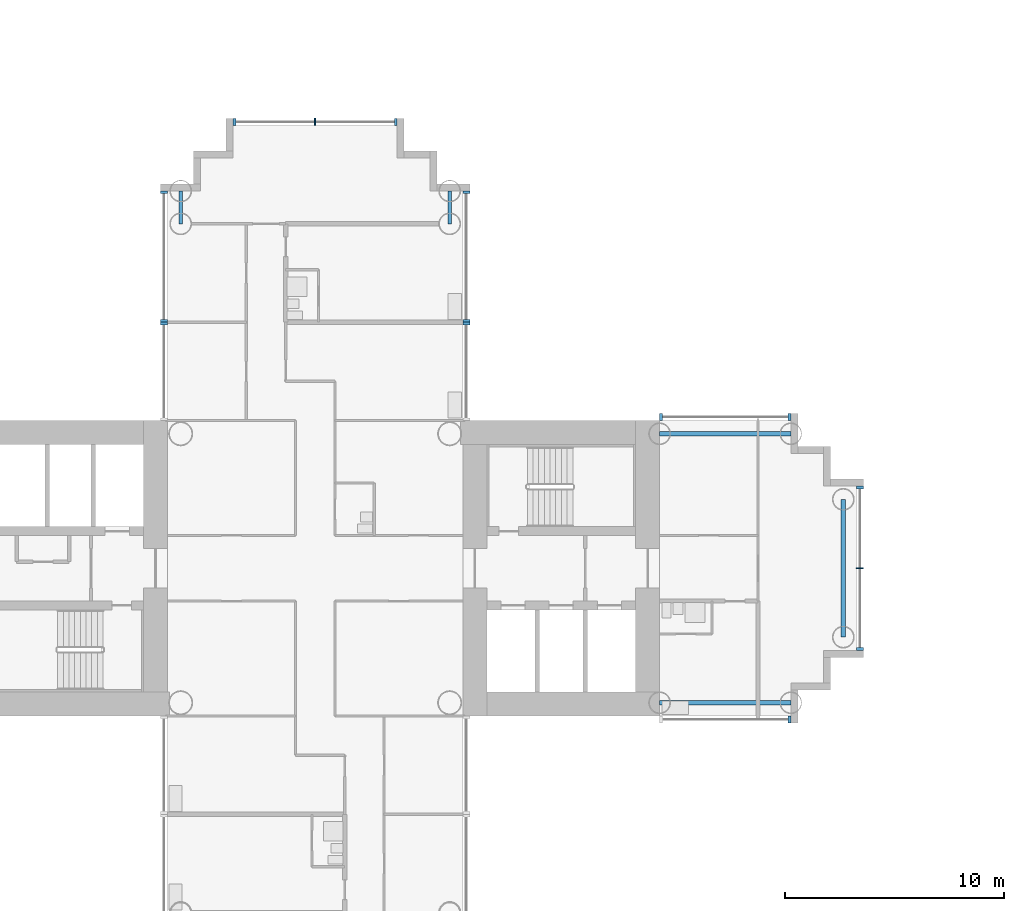
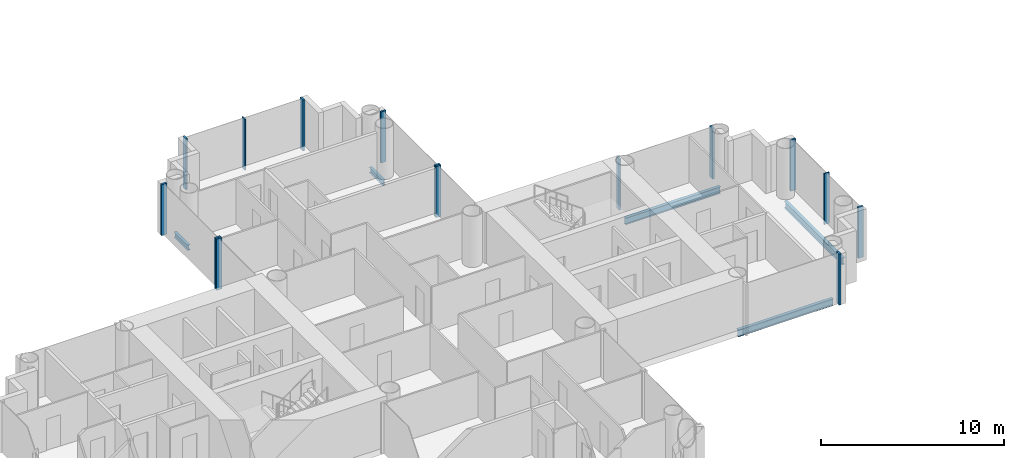
# One storey, part 4 of 21: 15 members, 5 beams, 8 elements without a shape of their own.
"""IFC4 building model written with IfcOpenShell, lengths in metres."""

import ifcopenshell
import ifcopenshell.guid

model = None  # the IFC model being written
_history = None  # IfcOwnerHistory: only IFC2X3 demands one
_inside = {}  # id of a spatial element -> (the spatial element, [elements in it])
_under = {}  # id of a project, library or spatial element -> (it, [spatial elements below it])
_declared = {}  # id of a project -> (the project, [libraries it declares])
_typed = {}  # id of a type object -> (the type object, [elements of that type])
_made_of = {}  # id of a material, layer set ... -> (it, [elements and type objects made of it])


def new_model(schema):
    """Start an empty IFC model of exactly this schema.

    Asked for "IFC4X3", IfcOpenShell would pick the latest addendum, in which some entities
    have other attributes; the version numbers below select the first issue.
    IFC2X3 requires an IfcOwnerHistory on every rooted entity: one is made here for all.
    """
    global model, _history
    if schema == "IFC4X3":
        model = ifcopenshell.file(schema_version=(4, 3, 0, 0))
    else:
        model = ifcopenshell.file(schema=schema)
    _inside.clear()
    _under.clear()
    _declared.clear()
    _typed.clear()
    _made_of.clear()
    _history = None
    if model.schema == "IFC2X3":
        org = make("IfcOrganization", Name="unknown")
        user = make(
            "IfcPersonAndOrganization",
            ThePerson=make("IfcPerson", FamilyName="unknown"),
            TheOrganization=org,
        )
        app = make(
            "IfcApplication",
            ApplicationDeveloper=org,
            Version="unknown",
            ApplicationFullName="unknown",
            ApplicationIdentifier="unknown",
        )
        _history = make(
            "IfcOwnerHistory",
            OwningUser=user,
            OwningApplication=app,
            ChangeAction="ADDED",
            CreationDate=0,
        )
    return model


def make(cls, **values):
    """One entity of the class cls with the attributes given. An attribute that is None is left unset."""
    return model.create_entity(
        cls, **{name: value for name, value in values.items() if value is not None}
    )


def rooted(cls, **values):
    """An entity with a GlobalId (a new one), such as an element, a storey or a relation."""
    return make(cls, GlobalId=ifcopenshell.guid.new(), OwnerHistory=_history, **values)


def si_unit(unit_type, name, prefix=None):
    """IfcSIUnit, for example si_unit("LENGTHUNIT", "METRE", prefix="MILLI")."""
    return make("IfcSIUnit", UnitType=unit_type, Prefix=prefix, Name=name)


def assignment(units):
    """IfcUnitAssignment: the units of a project."""
    return None if units is None else make("IfcUnitAssignment", Units=units)


def point(xyz):
    """IfcCartesianPoint."""
    return None if xyz is None else make("IfcCartesianPoint", Coordinates=xyz)


def direction(xyz):
    """IfcDirection."""
    return None if xyz is None else make("IfcDirection", DirectionRatios=xyz)


def frame(location, z_axis=None, x_axis=None):
    """IfcAxis2Placement3D, a coordinate frame: its origin and axes. An axis left out is left unset."""
    return make(
        "IfcAxis2Placement3D",
        Location=point(location),
        Axis=direction(z_axis),
        RefDirection=direction(x_axis),
    )


def frame_2d(location, x_axis=None):
    """IfcAxis2Placement2D, a coordinate frame in the plane: its origin and x axis."""
    return make(
        "IfcAxis2Placement2D", Location=point(location), RefDirection=direction(x_axis)
    )


def origin():
    """The frame at (0, 0, 0) with its axes left unset."""
    return frame((0.0, 0.0, 0.0))


def origin_2d():
    """The frame at (0, 0) in the plane with its x axis left unset."""
    return frame_2d((0.0, 0.0))


def place(relative_to, where):
    """IfcLocalPlacement: puts the frame where relative to a parent placement (None: the world)."""
    return make(
        "IfcLocalPlacement", PlacementRelTo=relative_to, RelativePlacement=where
    )


def context(
    kind, dimensions, precision=None, world=None, true_north=None, identifier=None
):
    """IfcGeometricRepresentationContext, for example the 3D "Model" context."""
    return make(
        "IfcGeometricRepresentationContext",
        ContextIdentifier=identifier,
        ContextType=kind,
        CoordinateSpaceDimension=dimensions,
        Precision=precision,
        WorldCoordinateSystem=world,
        TrueNorth=true_north,
    )


def subcontext(parent, identifier, kind, view, scale=None):
    """IfcGeometricRepresentationSubContext, for example "Body" below "Model"."""
    return make(
        "IfcGeometricRepresentationSubContext",
        ContextIdentifier=identifier,
        ContextType=kind,
        ParentContext=parent,
        TargetScale=scale,
        TargetView=view,
    )


def project(units=None, contexts=None):
    """IfcProject with its units and contexts."""
    return rooted(
        "IfcProject",
        Name="project",
        RepresentationContexts=contexts,
        UnitsInContext=assignment(units),
    )


def spatial(cls, under=None, at=None, **own):
    """A site, building, storey or space (cls), placed at a placement, below another one or the project."""
    s = rooted(cls, ObjectPlacement=at, **own)
    if under is not None:
        _under.setdefault(under.id(), (under, []))[1].append(s)
    return s


def profile(cls, at=None, kind="AREA", **sizes):
    """A parametric profile (cls). Its sizes go by their IFC names, for example OverallWidth=200.0."""
    return make(cls, ProfileType=kind, Position=at, **sizes)


def rectangle(**sizes):
    """IfcRectangleProfileDef."""
    return profile("IfcRectangleProfileDef", **sizes)


def i_section(**sizes):
    """IfcIShapeProfileDef."""
    return profile("IfcIShapeProfileDef", **sizes)


def extrude(swept, where, along, depth):
    """IfcExtrudedAreaSolid: the profile swept, set in the frame where, extruded along a direction by depth."""
    return make(
        "IfcExtrudedAreaSolid",
        SweptArea=swept,
        Position=where,
        ExtrudedDirection=direction(along),
        Depth=depth,
    )


def shape(context_of_items, identifier, shape_type, items):
    """IfcShapeRepresentation: the items that make up one representation, for example the "Body"."""
    return make(
        "IfcShapeRepresentation",
        ContextOfItems=context_of_items,
        RepresentationIdentifier=identifier,
        RepresentationType=shape_type,
        Items=items,
    )


def material(Name=None, Category=None):
    """IfcMaterial."""
    return make("IfcMaterial", Name=Name, Category=Category)


def layer(
    of_material, thickness, ventilated=None, Name=None, Category=None, Priority=None
):
    """IfcMaterialLayer: one layer of a wall or slab, of a material (None: an air gap)."""
    return make(
        "IfcMaterialLayer",
        Material=of_material,
        LayerThickness=thickness,
        IsVentilated=ventilated,
        Name=Name,
        Category=Category,
        Priority=Priority,
    )


def layer_set(layers, Name=None):
    """IfcMaterialLayerSet."""
    return make("IfcMaterialLayerSet", MaterialLayers=layers, LayerSetName=Name)


def material_profile(
    of_material, cross_section, Name=None, Category=None, Priority=None
):
    """IfcMaterialProfile: a cross section and its material."""
    return make(
        "IfcMaterialProfile",
        Name=Name,
        Material=of_material,
        Profile=cross_section,
        Priority=Priority,
        Category=Category,
    )


def profile_set(profiles, Name=None, composite=None):
    """IfcMaterialProfileSet."""
    return make(
        "IfcMaterialProfileSet",
        Name=Name,
        MaterialProfiles=profiles,
        CompositeProfile=composite,
    )


def made_of(thing, what):
    """Note that an element or type object is made of a material, layer set ...; save() writes the relation."""
    if what is not None:
        _made_of.setdefault(what.id(), (what, []))[1].append(thing)
    return thing


def type_object(cls, material=None, **own):
    """A type object (cls), such as IfcWallType, which elements share."""
    return made_of(rooted(cls, **own), material)


def element(
    cls,
    number,
    at=None,
    inside=None,
    cuts=None,
    type_object=None,
    material=None,
    context=None,
    identifier="Body",
    shape_type=None,
    held_by="IfcProductDefinitionShape",
    body=None,
    shapes=None,
    **own,
):
    """One element of the class cls, such as IfcWall. Its Tag is "e" and its number.

    at: its placement. inside: the storey or other place that contains it. cuts: it is an
    opening in that element (IfcRelVoidsElement). A single representation is given by context,
    identifier, shape_type and body (its items); several are given by shapes. held_by: the class
    of the entity that holds the representations. save() writes the other relations.
    """
    e = rooted(cls, Tag="e%d" % number, ObjectPlacement=at, **own)
    if body is not None:
        shapes = [shape(context, identifier, shape_type, body)]
    if shapes is not None:
        e.Representation = make(held_by, Representations=shapes)
    if inside is not None:
        _inside.setdefault(inside.id(), (inside, []))[1].append(e)
    if cuts is not None:
        rooted(
            "IfcRelVoidsElement", RelatingBuildingElement=cuts, RelatedOpeningElement=e
        )
    if type_object is not None:
        _typed.setdefault(type_object.id(), (type_object, []))[1].append(e)
    return made_of(e, material)


def aggregate(whole, parts):
    """IfcRelAggregates: a whole, such as a stair, and the parts it consists of."""
    return rooted("IfcRelAggregates", RelatingObject=whole, RelatedObjects=parts)


def save(model, path):
    """Write the relations noted so far, then the file.

    IfcRelAggregates (storeys below a building ...), IfcRelContainedInSpatialStructure (elements
    in a storey), IfcRelDefinesByType, IfcRelAssociatesMaterial and IfcRelDeclares: one each for
    every whole, place, type object, material and project.
    """
    for whole, parts in _under.values():
        aggregate(whole, parts)
    for where, things in _inside.values():
        rooted(
            "IfcRelContainedInSpatialStructure",
            RelatedElements=things,
            RelatingStructure=where,
        )
    for kind, things in _typed.values():
        rooted("IfcRelDefinesByType", RelatedObjects=things, RelatingType=kind)
    for what, things in _made_of.values():
        rooted("IfcRelAssociatesMaterial", RelatedObjects=things, RelatingMaterial=what)
    for by, libraries in _declared.values():
        rooted("IfcRelDeclares", RelatingContext=by, RelatedDefinitions=libraries)
    model.write(path)


model = new_model("IFC4")

# Units and contexts
model_context = context("Model", 3, precision=1e-05, world=origin(), true_north=direction((0.0, 1.0)))
body_context = subcontext(model_context, "Body", "Model", "MODEL_VIEW")
ifc_project = project(units=[si_unit("LENGTHUNIT", "METRE"), si_unit("AREAUNIT", "SQUARE_METRE"), si_unit("VOLUMEUNIT", "CUBIC_METRE"), si_unit("PLANEANGLEUNIT", "RADIAN"), si_unit("MASSUNIT", "GRAM", prefix="KILO")], contexts=[model_context])

# Site, building, storey
site_placement = place(None, origin())
site = spatial("IfcSite", under=ifc_project, at=site_placement, CompositionType="ELEMENT")
building_placement = place(site_placement, origin())
building = spatial("IfcBuilding", under=site, at=building_placement, Name="Ipe Terrace Towers", CompositionType="ELEMENT")
storey_placement = place(building_placement, frame((0.0, 0.0, 41.5)))
storey = spatial("IfcBuildingStorey", under=building, at=storey_placement, Name="L10", CompositionType="ELEMENT", Elevation=41.5)

# Beams
ifc_material_1 = material(Name="Steel S355", Category="steel")
ifc_material_profile_1 = material_profile(ifc_material_1, i_section(OverallWidth=0.175048828125, OverallDepth=0.35009765625, WebThickness=0.007080078125, FlangeThickness=0.010986328125, at=origin_2d()), Name="H-350x175x7x11")
ifc_profile_set_1 = profile_set([ifc_material_profile_1], Name="Steel S355")
beam_type_1 = type_object("IfcBeamType", Name="H04 EDGE BEAM H-350x175x7x11", PredefinedType="BEAM", material=ifc_profile_set_1)
for number, where, z_axis, x_axis, name in (
    (1, (-29.85009765625, 15.75, -0.574951171875), (0.0, 1.0, 0.0), (-1.0, 0.0, 0.0), "Edge beam T1-EB-B03-B05"),
    (2, (-42.14990234375, 15.75, -0.574951171875), (0.0, 1.0, 0.0), (-1.0, 0.0, 0.0), "Edge beam T1-EB-B04-B06"),
):
    element("IfcBeam", number, at=place(storey_placement, frame(where, z_axis=z_axis, x_axis=x_axis)), inside=storey, type_object=beam_type_1, Name=name, PredefinedType="BEAM", context=body_context, shape_type="SweptSolid", body=[
        extrude(i_section(OverallWidth=0.175048828125, OverallDepth=0.35009765625, WebThickness=0.007080078125, FlangeThickness=0.010986328125, at=origin_2d()), origin(), (0.0, 0.0, 1.0), 1.5),
    ])
ifc_material_2 = material(Name="Steel S355", Category="steel")
ifc_material_profile_2 = material_profile(ifc_material_2, i_section(OverallWidth=0.199951171875, OverallDepth=0.449951171875, WebThickness=0.009033203125, FlangeThickness=0.013916015625, at=origin_2d()), Name="H-450x200x9x14")
ifc_profile_set_2 = profile_set([ifc_material_profile_2], Name="Steel S355")
beam_type_2 = type_object("IfcBeamType", Name="H08 EDGE BEAM H-450x200x9x14", PredefinedType="BEAM", material=ifc_profile_set_2)
for number, where, z_axis, x_axis, name in (
    (3, (-20.25, -6.14990234375, -0.625), (1.0, 0.0, 0.0), (0.0, 1.0, 0.0), "Edge beam T1-EB-A01-A03"),
    (4, (-20.25, 6.14990234375, -0.625), (1.0, 0.0, 0.0), (0.0, 1.0, 0.0), "Edge beam T1-EB-A02-A04"),
):
    element("IfcBeam", number, at=place(storey_placement, frame(where, z_axis=z_axis, x_axis=x_axis)), inside=storey, type_object=beam_type_2, Name=name, PredefinedType="BEAM", context=body_context, shape_type="SweptSolid", body=[
        extrude(i_section(OverallWidth=0.199951171875, OverallDepth=0.449951171875, WebThickness=0.009033203125, FlangeThickness=0.013916015625, at=origin_2d()), origin(), (0.0, 0.0, 1.0), 6.0),
    ])
beam_placement = place(storey_placement, frame((-11.85009765625, -3.14990234375, -0.625), z_axis=(0.0, 1.0, 0.0), x_axis=(-1.0, 0.0, 0.0)))
element("IfcBeam", 5, at=beam_placement, inside=storey, type_object=beam_type_2, Name="Edge beam T1-EB-A05-A06", PredefinedType="BEAM", context=body_context, shape_type="SweptSolid", body=[
    extrude(i_section(OverallWidth=0.199951171875, OverallDepth=0.449951171875, WebThickness=0.009033203125, FlangeThickness=0.013916015625, at=origin_2d()), origin(), (0.0, 0.0, 1.0), 6.2998046875),
])

# Curtain wall, member
ifc_material_3 = material(Name="Aluminium alloy 6063-T6", Category="aluminium")
ifc_layer = layer(ifc_material_3, 0.320068359375)
ifc_layer_set = layer_set([ifc_layer], Name="TOWER UNITISED CURTAIN WALL")
curtain_wall_type = type_object("IfcCurtainWallType", Name="TOWER UNITISED CURTAIN WALL", PredefinedType="NOTDEFINED", material=ifc_layer_set)
curtain_wall_1_placement = place(storey_placement, origin())
curtain_wall_1 = element("IfcCurtainWall", 6, at=curtain_wall_1_placement, inside=storey, type_object=curtain_wall_type, Name="T1-CW-L10-20b curtain wall", PredefinedType="NOTDEFINED")
ifc_material_4 = material(Name="Aluminium alloy 6063-T6", Category="aluminium")
ifc_material_profile_3 = material_profile(ifc_material_4, rectangle(XDim=0.320068359375, YDim=0.1201171875, at=origin_2d()), Name="TOWER UNITISED CORNER MULLION 320 x 120")
ifc_profile_set_3 = profile_set([ifc_material_profile_3], Name="Aluminium alloy 6063-T6")
member_type_1 = type_object("IfcMemberType", Name="TOWER UNITISED CORNER MULLION 320 x 120", PredefinedType="MULLION", material=ifc_profile_set_3)
member_1_placement = place(storey_placement, frame((-14.31005859375, -6.909912109375, -0.300048828125), z_axis=(0.0, 0.0, 1.0), x_axis=(0.0, -1.0, 0.0)))
member_1 = element("IfcMember", 7, at=member_1_placement, type_object=member_type_1, Name="T1-CW-L10-20b mullion 2", PredefinedType="MULLION", context=body_context, shape_type="SweptSolid", body=[
    extrude(rectangle(XDim=0.320068359375, YDim=0.1201171875, at=origin_2d()), origin(), (0.0, 0.0, 1.0), 3.400146484375),
])
aggregate(curtain_wall_1, [member_1])

# Curtain wall, members
curtain_wall_2_placement = place(storey_placement, origin())
curtain_wall_2 = element("IfcCurtainWall", 8, at=curtain_wall_2_placement, inside=storey, type_object=curtain_wall_type, Name="T1-CW-L10-25a curtain wall", PredefinedType="NOTDEFINED")
member_2_placement = place(storey_placement, frame((-11.090087890625, -3.68994140625, -0.300048828125), z_axis=(0.0, 0.0, 1.0), x_axis=(1.0, 0.0, 0.0)))
member_2 = element("IfcMember", 9, at=member_2_placement, type_object=member_type_1, Name="T1-CW-L10-25a mullion 1", PredefinedType="MULLION", context=body_context, shape_type="SweptSolid", body=[
    extrude(rectangle(XDim=0.320068359375, YDim=0.1201171875, at=origin_2d()), origin(), (0.0, 0.0, 1.0), 3.400146484375),
])
member_3_placement = place(storey_placement, frame((-11.090087890625, 3.68994140625, -0.300048828125), z_axis=(0.0, 0.0, 1.0), x_axis=(1.0, 0.0, 0.0)))
member_3 = element("IfcMember", 10, at=member_3_placement, type_object=member_type_1, Name="T1-CW-L10-25a mullion 3", PredefinedType="MULLION", context=body_context, shape_type="SweptSolid", body=[
    extrude(rectangle(XDim=0.320068359375, YDim=0.1201171875, at=origin_2d()), origin(), (0.0, 0.0, 1.0), 3.400146484375),
])

curtain_wall_3_placement = place(storey_placement, origin())
curtain_wall_3 = element("IfcCurtainWall", 11, at=curtain_wall_3_placement, inside=storey, type_object=curtain_wall_type, Name="T1-CW-L10-30a curtain wall", PredefinedType="NOTDEFINED")
member_4_placement = place(storey_placement, frame((-14.31005859375, 6.909912109375, -0.300048828125), z_axis=(0.0, 0.0, 1.0), x_axis=(0.0, 1.0, 0.0)))
member_4 = element("IfcMember", 12, at=member_4_placement, type_object=member_type_1, Name="T1-CW-L10-30a mullion 1", PredefinedType="MULLION", context=body_context, shape_type="SweptSolid", body=[
    extrude(rectangle(XDim=0.320068359375, YDim=0.1201171875, at=origin_2d()), origin(), (0.0, 0.0, 1.0), 3.400146484375),
])
member_5_placement = place(storey_placement, frame((-20.18896484375, 6.909912109375, -0.300048828125), z_axis=(0.0, 0.0, 1.0), x_axis=(0.0, 1.0, 0.0)))
member_5 = element("IfcMember", 13, at=member_5_placement, type_object=member_type_1, Name="T1-CW-L10-30a mullion 2", PredefinedType="MULLION", context=body_context, shape_type="SweptSolid", body=[
    extrude(rectangle(XDim=0.320068359375, YDim=0.1201171875, at=origin_2d()), origin(), (0.0, 0.0, 1.0), 3.400146484375),
])
aggregate(curtain_wall_3, [member_4, member_5])

# Curtain wall, member
curtain_wall_4_placement = place(storey_placement, origin())
curtain_wall_4 = element("IfcCurtainWall", 14, at=curtain_wall_4_placement, inside=storey, type_object=curtain_wall_type, Name="T1-CW-L10-32a curtain wall", PredefinedType="NOTDEFINED")
member_6_placement = place(storey_placement, frame((-29.090087890625, 11.18994140625, -0.300048828125), z_axis=(0.0, 0.0, 1.0), x_axis=(1.0, 0.0, 0.0)))
member_6 = element("IfcMember", 15, at=member_6_placement, type_object=member_type_1, Name="T1-CW-L10-32a mullion 2", PredefinedType="MULLION", context=body_context, shape_type="SweptSolid", body=[
    extrude(rectangle(XDim=0.320068359375, YDim=0.1201171875, at=origin_2d()), origin(), (0.0, 0.0, 1.0), 3.400146484375),
])
aggregate(curtain_wall_4, [member_6])

# Curtain wall, members
curtain_wall_5_placement = place(storey_placement, origin())
curtain_wall_5 = element("IfcCurtainWall", 16, at=curtain_wall_5_placement, inside=storey, type_object=curtain_wall_type, Name="T1-CW-L10-33a curtain wall", PredefinedType="NOTDEFINED")
member_7_placement = place(storey_placement, frame((-29.090087890625, 11.31005859375, -0.300048828125), z_axis=(0.0, 0.0, 1.0), x_axis=(1.0, 0.0, 0.0)))
member_7 = element("IfcMember", 17, at=member_7_placement, type_object=member_type_1, Name="T1-CW-L10-33a mullion 1", PredefinedType="MULLION", context=body_context, shape_type="SweptSolid", body=[
    extrude(rectangle(XDim=0.320068359375, YDim=0.1201171875, at=origin_2d()), origin(), (0.0, 0.0, 1.0), 3.400146484375),
])
member_8_placement = place(storey_placement, frame((-29.090087890625, 17.18994140625, -0.300048828125), z_axis=(0.0, 0.0, 1.0), x_axis=(1.0, 0.0, 0.0)))
member_8 = element("IfcMember", 18, at=member_8_placement, type_object=member_type_1, Name="T1-CW-L10-33a mullion 2", PredefinedType="MULLION", context=body_context, shape_type="SweptSolid", body=[
    extrude(rectangle(XDim=0.320068359375, YDim=0.1201171875, at=origin_2d()), origin(), (0.0, 0.0, 1.0), 3.400146484375),
])
aggregate(curtain_wall_5, [member_7, member_8])

curtain_wall_6_placement = place(storey_placement, origin())
curtain_wall_6 = element("IfcCurtainWall", 19, at=curtain_wall_6_placement, inside=storey, type_object=curtain_wall_type, Name="T1-CW-L10-38a curtain wall", PredefinedType="NOTDEFINED")
member_9_placement = place(storey_placement, frame((-32.31005859375, 20.409912109375, -0.300048828125), z_axis=(0.0, 0.0, 1.0), x_axis=(0.0, 1.0, 0.0)))
member_9 = element("IfcMember", 20, at=member_9_placement, type_object=member_type_1, Name="T1-CW-L10-38a mullion 1", PredefinedType="MULLION", context=body_context, shape_type="SweptSolid", body=[
    extrude(rectangle(XDim=0.320068359375, YDim=0.1201171875, at=origin_2d()), origin(), (0.0, 0.0, 1.0), 3.400146484375),
])
member_10_placement = place(storey_placement, frame((-39.68994140625, 20.409912109375, -0.300048828125), z_axis=(0.0, 0.0, 1.0), x_axis=(0.0, 1.0, 0.0)))
member_10 = element("IfcMember", 21, at=member_10_placement, type_object=member_type_1, Name="T1-CW-L10-38a mullion 3", PredefinedType="MULLION", context=body_context, shape_type="SweptSolid", body=[
    extrude(rectangle(XDim=0.320068359375, YDim=0.1201171875, at=origin_2d()), origin(), (0.0, 0.0, 1.0), 3.400146484375),
])

curtain_wall_7_placement = place(storey_placement, origin())
curtain_wall_7 = element("IfcCurtainWall", 22, at=curtain_wall_7_placement, inside=storey, type_object=curtain_wall_type, Name="T1-CW-L10-43a curtain wall", PredefinedType="NOTDEFINED")
member_11_placement = place(storey_placement, frame((-42.909912109375, 17.18994140625, -0.300048828125), z_axis=(0.0, 0.0, 1.0), x_axis=(-1.0, 0.0, 0.0)))
member_11 = element("IfcMember", 23, at=member_11_placement, type_object=member_type_1, Name="T1-CW-L10-43a mullion 1", PredefinedType="MULLION", context=body_context, shape_type="SweptSolid", body=[
    extrude(rectangle(XDim=0.320068359375, YDim=0.1201171875, at=origin_2d()), origin(), (0.0, 0.0, 1.0), 3.400146484375),
])
member_12_placement = place(storey_placement, frame((-42.909912109375, 11.31005859375, -0.300048828125), z_axis=(0.0, 0.0, 1.0), x_axis=(-1.0, 0.0, 0.0)))
member_12 = element("IfcMember", 24, at=member_12_placement, type_object=member_type_1, Name="T1-CW-L10-43a mullion 2", PredefinedType="MULLION", context=body_context, shape_type="SweptSolid", body=[
    extrude(rectangle(XDim=0.320068359375, YDim=0.1201171875, at=origin_2d()), origin(), (0.0, 0.0, 1.0), 3.400146484375),
])
aggregate(curtain_wall_7, [member_11, member_12])

# Curtain wall, member
curtain_wall_8_placement = place(storey_placement, origin())
curtain_wall_8 = element("IfcCurtainWall", 25, at=curtain_wall_8_placement, inside=storey, type_object=curtain_wall_type, Name="T1-CW-L10-44a curtain wall", PredefinedType="NOTDEFINED")
member_13_placement = place(storey_placement, frame((-42.909912109375, 11.18994140625, -0.300048828125), z_axis=(0.0, 0.0, 1.0), x_axis=(-1.0, 0.0, 0.0)))
member_13 = element("IfcMember", 26, at=member_13_placement, type_object=member_type_1, Name="T1-CW-L10-44a mullion 1", PredefinedType="MULLION", context=body_context, shape_type="SweptSolid", body=[
    extrude(rectangle(XDim=0.320068359375, YDim=0.1201171875, at=origin_2d()), origin(), (0.0, 0.0, 1.0), 3.400146484375),
])
aggregate(curtain_wall_8, [member_13])

# Member
ifc_material_5 = material(Name="Aluminium alloy 6063-T6", Category="aluminium")
ifc_material_profile_4 = material_profile(ifc_material_5, rectangle(XDim=0.320068359375, YDim=0.06494140625, at=origin_2d()), Name="TOWER UNITISED MULLION 320 x 65")
ifc_profile_set_4 = profile_set([ifc_material_profile_4], Name="Aluminium alloy 6063-T6")
member_type_2 = type_object("IfcMemberType", Name="TOWER UNITISED MULLION 320 x 65", PredefinedType="MULLION", material=ifc_profile_set_4)
member_14_placement = place(storey_placement, frame((-11.090087890625, 0.0, -0.300048828125), z_axis=(0.0, 0.0, 1.0), x_axis=(1.0, 0.0, 0.0)))
member_14 = element("IfcMember", 27, at=member_14_placement, type_object=member_type_2, Name="T1-CW-L10-25a mullion 2", PredefinedType="MULLION", context=body_context, shape_type="SweptSolid", body=[
    extrude(rectangle(XDim=0.320068359375, YDim=0.06494140625, at=origin_2d()), origin(), (0.0, 0.0, 1.0), 3.400146484375),
])

aggregate(curtain_wall_2, [member_2, member_14, member_3])

member_15_placement = place(storey_placement, frame((-36.0, 20.409912109375, -0.300048828125), z_axis=(0.0, 0.0, 1.0), x_axis=(0.0, 1.0, 0.0)))
member_15 = element("IfcMember", 28, at=member_15_placement, type_object=member_type_2, Name="T1-CW-L10-38a mullion 2", PredefinedType="MULLION", context=body_context, shape_type="SweptSolid", body=[
    extrude(rectangle(XDim=0.320068359375, YDim=0.06494140625, at=origin_2d()), origin(), (0.0, 0.0, 1.0), 3.400146484375),
])

aggregate(curtain_wall_6, [member_9, member_15, member_10])

save(model, "model.ifc")
